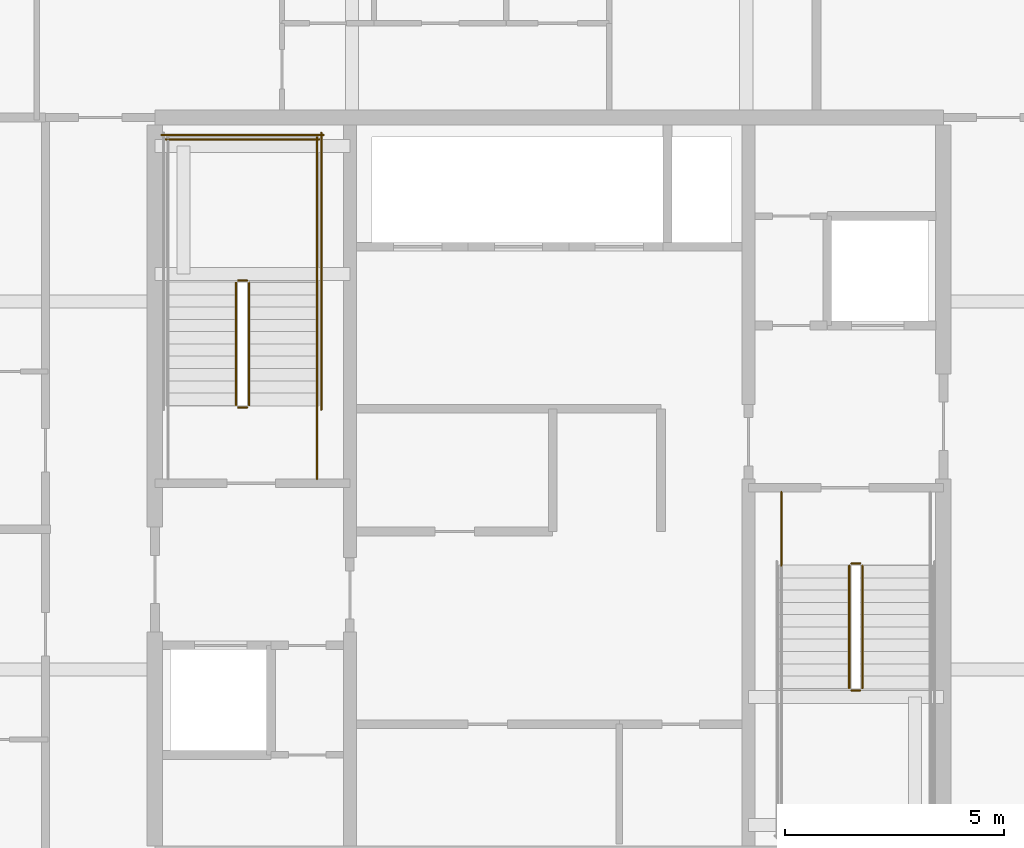
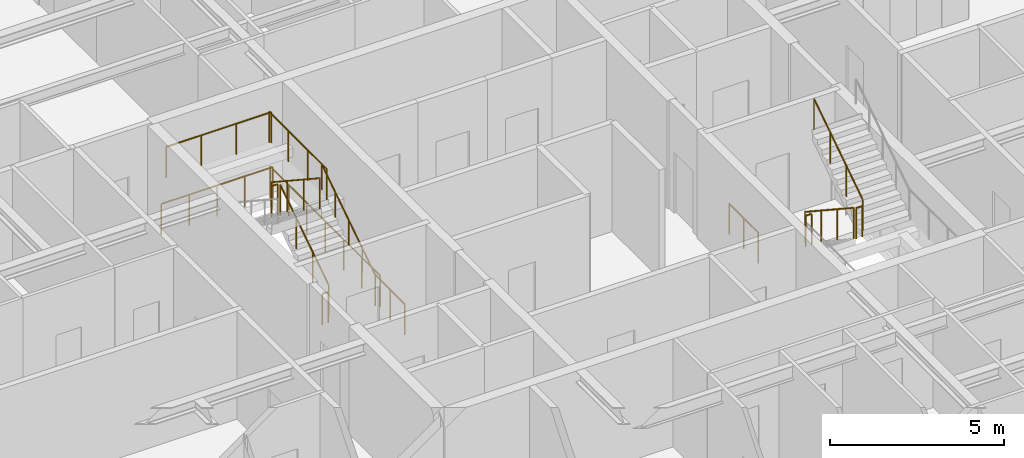
# One storey, part 38 of 40: 15 railings.
"""IFC4 building model written with IfcOpenShell, lengths in metres."""

from ifc_helpers import new_model, si_unit, direction, frame, origin, origin_2d, place, context, subcontext, project, spatial, circle, extrude, material, type_object, element, save


model = new_model("IFC4")

# Units and contexts
model_context = context("Model", 3, precision=1e-05, world=origin(), true_north=direction((0.0, 1.0)))
body_context = subcontext(model_context, "Body", "Model", "MODEL_VIEW")
ifc_project = project(units=[si_unit("LENGTHUNIT", "METRE"), si_unit("AREAUNIT", "SQUARE_METRE"), si_unit("VOLUMEUNIT", "CUBIC_METRE"), si_unit("PLANEANGLEUNIT", "RADIAN"), si_unit("MASSUNIT", "GRAM", prefix="KILO")], contexts=[model_context])

# Site, building, storey
site_placement = place(None, origin())
site = spatial("IfcSite", under=ifc_project, at=site_placement, CompositionType="ELEMENT")
building_placement = place(site_placement, origin())
building = spatial("IfcBuilding", under=site, at=building_placement, Name="Serunith Strait Residences", CompositionType="ELEMENT")
storey_placement = place(building_placement, frame((0.0, 0.0, 313.699951171875)))
storey = spatial("IfcBuildingStorey", under=building, at=storey_placement, Name="L78", CompositionType="ELEMENT", Elevation=313.699951171875)

# Railings
ifc_material = material(Name="Brushed stainless steel 316L", Category="steel")
railing_type_1 = type_object("IfcRailingType", Name="RLG-STAIR-GUARD", PredefinedType="BALUSTRADE", material=ifc_material)
railing_1_placement = place(storey_placement, frame((25.550048828125, 27.030029296875, 0.18408203125)))
element("IfcRailing", 1, at=railing_1_placement, inside=storey, type_object=railing_type_1, Name="L78 ST-1 stair guard 1", PredefinedType="BALUSTRADE", context=body_context, shape_type="SweptSolid", body=[
    extrude(circle(Radius=0.02392578125, at=origin_2d()), frame((0.0, 0.001708984375, 1.0771484375), z_axis=(0.0, 0.83556406348, 0.549393024911), x_axis=(-1.0, 0.0, 0.0)), (0.0, 0.0, 1.0), 3.34716796875),
    extrude(circle(Radius=0.02099609375, at=origin_2d()), origin(), (0.0, 0.0, 1.0), 1.050048828125),
    extrude(circle(Radius=0.02099609375, at=origin_2d()), frame((0.0, 0.933349609375, 0.61376953125)), (0.0, 0.0, 1.0), 1.050048828125),
    extrude(circle(Radius=0.02099609375, at=origin_2d()), frame((0.0, 1.86669921875, 1.227294921875)), (0.0, 0.0, 1.0), 1.050048828125),
    extrude(circle(Radius=0.02099609375, at=origin_2d()), frame((0.0, 2.800048828125, 1.841064453125)), (0.0, 0.0, 1.0), 1.050048828125),
])
railing_2_placement = place(storey_placement, frame((25.5, 29.8798828125, 2.025146484375)))
element("IfcRailing", 2, at=railing_2_placement, inside=storey, type_object=railing_type_1, Name="L78 ST-1 stair guard 2", PredefinedType="BALUSTRADE", context=body_context, shape_type="SweptSolid", body=[
    extrude(circle(Radius=0.02392578125, at=origin_2d()), frame((-0.001953125, 0.0, 1.076171875), z_axis=(-1.0, 0.0, 0.0), x_axis=(0.0, -1.0, 0.0)), (0.0, 0.0, 1.0), 0.196044921875),
    extrude(circle(Radius=0.02099609375, at=origin_2d()), origin(), (0.0, 0.0, 1.0), 1.050048828125),
    extrude(circle(Radius=0.02099609375, at=origin_2d()), frame((-0.199951171875, 0.0, 0.0)), (0.0, 0.0, 1.0), 1.050048828125),
])
railing_3_placement = place(storey_placement, frame((27.10009765625, 29.830078125, 2.025146484375)))
element("IfcRailing", 3, at=railing_3_placement, inside=storey, type_object=railing_type_1, Name="L78 ST-1 stair guard 3", PredefinedType="BALUSTRADE", context=body_context, shape_type="SweptSolid", body=[
    extrude(circle(Radius=0.02392578125, at=origin_2d()), frame((0.0, 0.001953125, 1.076171875), z_axis=(0.0, 1.0, 0.0), x_axis=(-1.0, 0.0, 0.0)), (0.0, 0.0, 1.0), 3.31591796875),
    extrude(circle(Radius=0.02099609375, at=origin_2d()), origin(), (0.0, 0.0, 1.0), 1.050048828125),
    extrude(circle(Radius=0.02099609375, at=origin_2d()), frame((0.0, 1.106689453125, 0.0)), (0.0, 0.0, 1.0), 1.050048828125),
    extrude(circle(Radius=0.02099609375, at=origin_2d()), frame((0.0, 2.213134765625, 0.0)), (0.0, 0.0, 1.0), 1.050048828125),
    extrude(circle(Radius=0.02099609375, at=origin_2d()), frame((0.0, 3.31982421875, 0.0)), (0.0, 0.0, 1.0), 1.050048828125),
])
railing_4_placement = place(storey_placement, frame((27.14990234375, 33.10009765625, 2.025146484375)))
element("IfcRailing", 4, at=railing_4_placement, inside=storey, type_object=railing_type_1, Name="L78 ST-1 stair guard 5", PredefinedType="BALUSTRADE", context=body_context, shape_type="SweptSolid", body=[
    extrude(circle(Radius=0.02392578125, at=origin_2d()), frame((-0.001953125, 0.0, 1.076171875), z_axis=(-1.0, 0.0, 0.0), x_axis=(0.0, -1.0, 0.0)), (0.0, 0.0, 1.0), 3.49609375),
    extrude(circle(Radius=0.02099609375, at=origin_2d()), origin(), (0.0, 0.0, 1.0), 1.050048828125),
    extrude(circle(Radius=0.02099609375, at=origin_2d()), frame((-1.166748046875, 0.0, 0.0)), (0.0, 0.0, 1.0), 1.050048828125),
    extrude(circle(Radius=0.02099609375, at=origin_2d()), frame((-2.333251953125, 0.0, 0.0)), (0.0, 0.0, 1.0), 1.050048828125),
    extrude(circle(Radius=0.02099609375, at=origin_2d()), frame((-3.5, 0.0, 0.0)), (0.0, 0.0, 1.0), 1.050048828125),
])
railing_5_placement = place(storey_placement, frame((25.25, 29.830078125, 2.209228515625)))
element("IfcRailing", 5, at=railing_5_placement, inside=storey, type_object=railing_type_1, Name="L78 ST-1 stair guard 6", PredefinedType="BALUSTRADE", context=body_context, shape_type="SweptSolid", body=[
    extrude(circle(Radius=0.02392578125, at=origin_2d()), frame((0.0, -0.001708984375, 1.0771484375), z_axis=(0.0, -0.835597507184, 0.549342157483), x_axis=(1.0, 0.0, 0.0)), (0.0, 0.0, 1.0), 3.346923828125),
    extrude(circle(Radius=0.02099609375, at=origin_2d()), origin(), (0.0, 0.0, 1.0), 1.050048828125),
    extrude(circle(Radius=0.02099609375, at=origin_2d()), frame((0.0, -0.933349609375, 0.613525390625)), (0.0, 0.0, 1.0), 1.050048828125),
    extrude(circle(Radius=0.02099609375, at=origin_2d()), frame((0.0, -1.86669921875, 1.227294921875)), (0.0, 0.0, 1.0), 1.050048828125),
    extrude(circle(Radius=0.02099609375, at=origin_2d()), frame((0.0, -2.800048828125, 1.8408203125)), (0.0, 0.0, 1.0), 1.050048828125),
])
railing_6_placement = place(storey_placement, frame((25.5, 26.97998046875, 0.0)))
element("IfcRailing", 6, at=railing_6_placement, inside=storey, type_object=railing_type_1, Name="L78 ST-1 stair guard 7", PredefinedType="BALUSTRADE", context=body_context, shape_type="SweptSolid", body=[
    extrude(circle(Radius=0.02392578125, at=origin_2d()), frame((-0.001953125, 0.0, 1.076171875), z_axis=(-1.0, 0.0, 0.0), x_axis=(0.0, -1.0, 0.0)), (0.0, 0.0, 1.0), 0.196044921875),
    extrude(circle(Radius=0.02099609375, at=origin_2d()), origin(), (0.0, 0.0, 1.0), 1.050048828125),
    extrude(circle(Radius=0.02099609375, at=origin_2d()), frame((-0.199951171875, 0.0, 0.0)), (0.0, 0.0, 1.0), 1.050048828125),
])
railing_7_placement = place(storey_placement, frame((27.10009765625, 25.35009765625, 0.0)))
element("IfcRailing", 7, at=railing_7_placement, inside=storey, type_object=railing_type_1, Name="L78 ST-1 stair guard 8", PredefinedType="BALUSTRADE", context=body_context, shape_type="SweptSolid", body=[
    extrude(circle(Radius=0.02392578125, at=origin_2d()), frame((0.0, 0.001953125, 1.076171875), z_axis=(0.0, 1.0, 0.0), x_axis=(-1.0, 0.0, 0.0)), (0.0, 0.0, 1.0), 1.676025390625),
    extrude(circle(Radius=0.02099609375, at=origin_2d()), origin(), (0.0, 0.0, 1.0), 1.050048828125),
    extrude(circle(Radius=0.02099609375, at=origin_2d()), frame((0.0, 0.83984375, 0.0)), (0.0, 0.0, 1.0), 1.050048828125),
    extrude(circle(Radius=0.02099609375, at=origin_2d()), frame((0.0, 1.679931640625, 0.0)), (0.0, 0.0, 1.0), 1.050048828125),
])
railing_8_placement = place(storey_placement, frame((27.199951171875, 26.929931640625, 0.0)))
element("IfcRailing", 8, at=railing_8_placement, inside=storey, type_object=railing_type_1, Name="L78 ST-1 stair guard 10", PredefinedType="BALUSTRADE", context=body_context, shape_type="SweptSolid", body=[
    extrude(circle(Radius=0.02392578125, at=origin_2d()), frame((0.0, 0.001953125, 1.076171875), z_axis=(0.0, 1.0, 0.0), x_axis=(-1.0, 0.0, 0.0)), (0.0, 0.0, 1.0), 6.316162109375),
    extrude(circle(Radius=0.02099609375, at=origin_2d()), origin(), (0.0, 0.0, 1.0), 1.050048828125),
    extrude(circle(Radius=0.02099609375, at=origin_2d()), frame((0.0, 1.05322265625, 0.0)), (0.0, 0.0, 1.0), 1.050048828125),
    extrude(circle(Radius=0.02099609375, at=origin_2d()), frame((0.0, 2.106689453125, 0.0)), (0.0, 0.0, 1.0), 1.050048828125),
    extrude(circle(Radius=0.02099609375, at=origin_2d()), frame((0.0, 3.16015625, 0.0)), (0.0, 0.0, 1.0), 1.050048828125),
    extrude(circle(Radius=0.02099609375, at=origin_2d()), frame((0.0, 4.21337890625, 0.0)), (0.0, 0.0, 1.0), 1.050048828125),
    extrude(circle(Radius=0.02099609375, at=origin_2d()), frame((0.0, 5.2666015625, 0.0)), (0.0, 0.0, 1.0), 1.050048828125),
    extrude(circle(Radius=0.02099609375, at=origin_2d()), frame((0.0, 6.320068359375, 0.0)), (0.0, 0.0, 1.0), 1.050048828125),
])
railing_9_placement = place(storey_placement, frame((27.25, 33.199951171875, 0.0)))
element("IfcRailing", 9, at=railing_9_placement, inside=storey, type_object=railing_type_1, Name="L78 ST-1 stair guard 12", PredefinedType="BALUSTRADE", context=body_context, shape_type="SweptSolid", body=[
    extrude(circle(Radius=0.02392578125, at=origin_2d()), frame((-0.001953125, 0.0, 1.076171875), z_axis=(-1.0, 0.0, 0.0), x_axis=(0.0, -1.0, 0.0)), (0.0, 0.0, 1.0), 3.696044921875),
    extrude(circle(Radius=0.02099609375, at=origin_2d()), origin(), (0.0, 0.0, 1.0), 1.050048828125),
    extrude(circle(Radius=0.02099609375, at=origin_2d()), frame((-0.925048828125, 0.0, 0.0)), (0.0, 0.0, 1.0), 1.050048828125),
    extrude(circle(Radius=0.02099609375, at=origin_2d()), frame((-1.85009765625, 0.0, 0.0)), (0.0, 0.0, 1.0), 1.050048828125),
    extrude(circle(Radius=0.02099609375, at=origin_2d()), frame((-2.77490234375, 0.0, 0.0)), (0.0, 0.0, 1.0), 1.050048828125),
    extrude(circle(Radius=0.02099609375, at=origin_2d()), frame((-3.699951171875, 0.0, 0.0)), (0.0, 0.0, 1.0), 1.050048828125),
])
railing_10_placement = place(storey_placement, frame((39.25, 23.3701171875, 0.18408203125)))
element("IfcRailing", 10, at=railing_10_placement, inside=storey, type_object=railing_type_1, Name="L78 ST-2 stair guard 1", PredefinedType="BALUSTRADE", context=body_context, shape_type="SweptSolid", body=[
    extrude(circle(Radius=0.02392578125, at=origin_2d()), frame((0.0, -0.001708984375, 1.0771484375), z_axis=(0.0, -0.83556406348, 0.549393024911), x_axis=(1.0, 0.0, 0.0)), (0.0, 0.0, 1.0), 3.34716796875),
    extrude(circle(Radius=0.02099609375, at=origin_2d()), origin(), (0.0, 0.0, 1.0), 1.050048828125),
    extrude(circle(Radius=0.02099609375, at=origin_2d()), frame((0.0, -0.933349609375, 0.61376953125)), (0.0, 0.0, 1.0), 1.050048828125),
    extrude(circle(Radius=0.02099609375, at=origin_2d()), frame((0.0, -1.86669921875, 1.227294921875)), (0.0, 0.0, 1.0), 1.050048828125),
    extrude(circle(Radius=0.02099609375, at=origin_2d()), frame((0.0, -2.800048828125, 1.841064453125)), (0.0, 0.0, 1.0), 1.050048828125),
])
railing_11_placement = place(storey_placement, frame((39.300048828125, 20.52001953125, 2.025146484375)))
element("IfcRailing", 11, at=railing_11_placement, inside=storey, type_object=railing_type_1, Name="L78 ST-2 stair guard 2", PredefinedType="BALUSTRADE", context=body_context, shape_type="SweptSolid", body=[
    extrude(circle(Radius=0.02392578125, at=origin_2d()), frame((0.001953125, 0.0, 1.076171875), z_axis=(1.0, 0.0, 0.0), x_axis=(0.0, 1.0, 0.0)), (0.0, 0.0, 1.0), 0.196044921875),
    extrude(circle(Radius=0.02099609375, at=origin_2d()), origin(), (0.0, 0.0, 1.0), 1.050048828125),
    extrude(circle(Radius=0.02099609375, at=origin_2d()), frame((0.199951171875, 0.0, 0.0)), (0.0, 0.0, 1.0), 1.050048828125),
])
railing_12_placement = place(storey_placement, frame((39.550048828125, 20.570068359375, 2.209228515625)))
element("IfcRailing", 12, at=railing_12_placement, inside=storey, type_object=railing_type_1, Name="L78 ST-2 stair guard 6", PredefinedType="BALUSTRADE", context=body_context, shape_type="SweptSolid", body=[
    extrude(circle(Radius=0.02392578125, at=origin_2d()), frame((0.0, 0.001708984375, 1.0771484375), z_axis=(0.0, 0.835597507184, 0.549342157483), x_axis=(-1.0, 0.0, 0.0)), (0.0, 0.0, 1.0), 3.346923828125),
    extrude(circle(Radius=0.02099609375, at=origin_2d()), origin(), (0.0, 0.0, 1.0), 1.050048828125),
    extrude(circle(Radius=0.02099609375, at=origin_2d()), frame((0.0, 0.933349609375, 0.613525390625)), (0.0, 0.0, 1.0), 1.050048828125),
    extrude(circle(Radius=0.02099609375, at=origin_2d()), frame((0.0, 1.86669921875, 1.227294921875)), (0.0, 0.0, 1.0), 1.050048828125),
    extrude(circle(Radius=0.02099609375, at=origin_2d()), frame((0.0, 2.800048828125, 1.8408203125)), (0.0, 0.0, 1.0), 1.050048828125),
])
railing_13_placement = place(storey_placement, frame((39.300048828125, 23.419921875, 0.0)))
element("IfcRailing", 13, at=railing_13_placement, inside=storey, type_object=railing_type_1, Name="L78 ST-2 stair guard 7", PredefinedType="BALUSTRADE", context=body_context, shape_type="SweptSolid", body=[
    extrude(circle(Radius=0.02392578125, at=origin_2d()), frame((0.001953125, 0.0, 1.076171875), z_axis=(1.0, 0.0, 0.0), x_axis=(0.0, 1.0, 0.0)), (0.0, 0.0, 1.0), 0.196044921875),
    extrude(circle(Radius=0.02099609375, at=origin_2d()), origin(), (0.0, 0.0, 1.0), 1.050048828125),
    extrude(circle(Radius=0.02099609375, at=origin_2d()), frame((0.199951171875, 0.0, 0.0)), (0.0, 0.0, 1.0), 1.050048828125),
])
railing_14_placement = place(storey_placement, frame((37.699951171875, 25.050048828125, 0.0)))
element("IfcRailing", 14, at=railing_14_placement, inside=storey, type_object=railing_type_1, Name="L78 ST-2 stair guard 8", PredefinedType="BALUSTRADE", context=body_context, shape_type="SweptSolid", body=[
    extrude(circle(Radius=0.02392578125, at=origin_2d()), frame((0.0, -0.001953125, 1.076171875), z_axis=(0.0, -1.0, 0.0), x_axis=(1.0, 0.0, 0.0)), (0.0, 0.0, 1.0), 1.676025390625),
    extrude(circle(Radius=0.02099609375, at=origin_2d()), origin(), (0.0, 0.0, 1.0), 1.050048828125),
    extrude(circle(Radius=0.02099609375, at=origin_2d()), frame((0.0, -0.83984375, 0.0)), (0.0, 0.0, 1.0), 1.050048828125),
    extrude(circle(Radius=0.02099609375, at=origin_2d()), frame((0.0, -1.679931640625, 0.0)), (0.0, 0.0, 1.0), 1.050048828125),
])
railing_type_2 = type_object("IfcRailingType", Name="RLG-STAIR-HR", PredefinedType="HANDRAIL", material=ifc_material)
railing_15_placement = place(storey_placement, frame((27.10009765625, 27.030029296875, 0.18408203125)))
element("IfcRailing", 15, at=railing_15_placement, inside=storey, type_object=railing_type_2, Name="L78 ST-1 stair handrail 1", PredefinedType="HANDRAIL", context=body_context, shape_type="SweptSolid", body=[
    extrude(circle(Radius=0.02392578125, at=origin_2d()), frame((0.0, 0.001708984375, 0.876953125), z_axis=(0.0, 0.83496096917, 0.550309167616), x_axis=(-1.0, 0.0, 0.0)), (0.0, 0.0, 1.0), 3.684814453125),
    extrude(circle(Radius=0.02099609375, at=origin_2d()), origin(), (0.0, 0.0, 1.0), 0.849853515625),
    extrude(circle(Radius=0.02099609375, at=origin_2d()), frame((0.0, 0.77001953125, 0.507568359375)), (0.0, 0.0, 1.0), 0.849853515625),
    extrude(circle(Radius=0.02099609375, at=origin_2d()), frame((0.0, 1.5400390625, 1.01513671875)), (0.0, 0.0, 1.0), 0.849853515625),
    extrude(circle(Radius=0.02099609375, at=origin_2d()), frame((0.0, 2.31005859375, 1.5224609375)), (0.0, 0.0, 1.0), 0.849853515625),
    extrude(circle(Radius=0.02099609375, at=origin_2d()), frame((0.0, 3.080078125, 2.030029296875)), (0.0, 0.0, 1.0), 0.849853515625),
])

save(model, "model.ifc")
